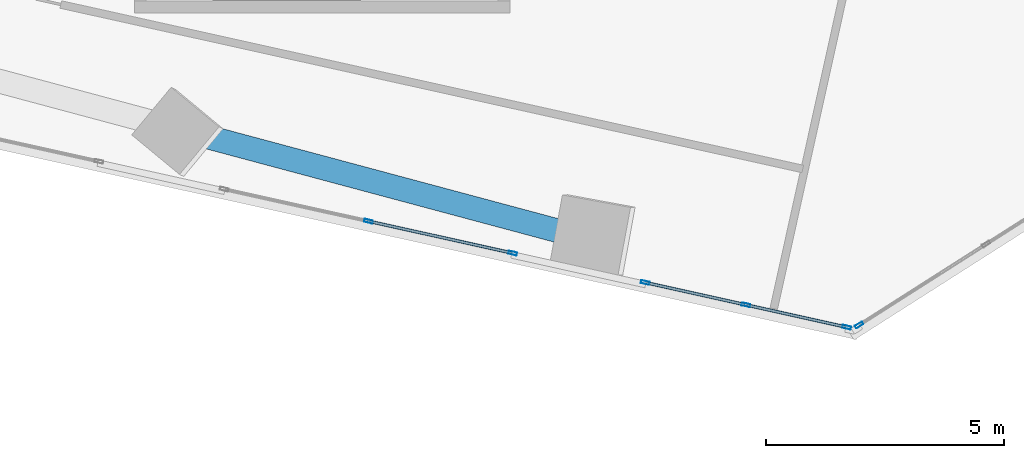
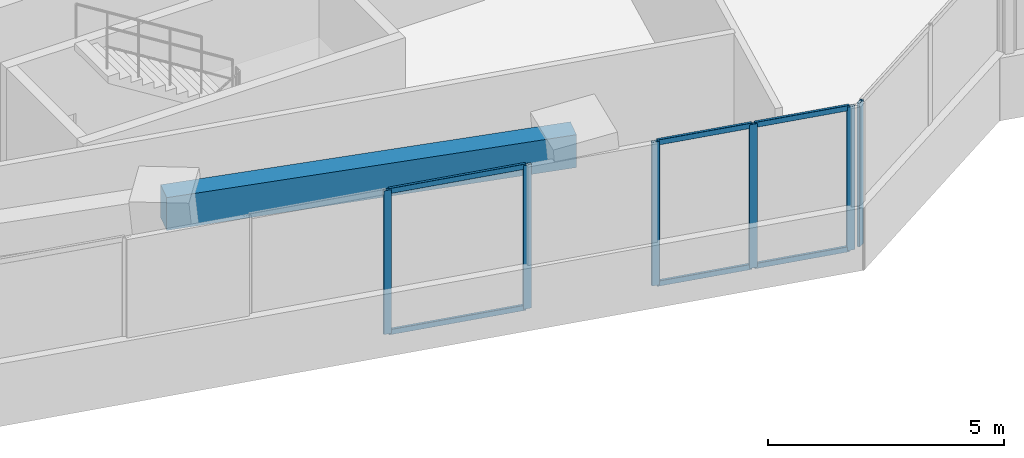
# One storey, part 4 of 26: 12 members, 1 beam, 3 elements without a shape of their own.
"""IFC4 building model written with IfcOpenShell, lengths in metres."""

from ifc_helpers import new_model, si_unit, direction, frame, origin, origin_2d, place, context, subcontext, project, spatial, rectangle, hollow_rectangle, extrude, source, transform, mapped, material, material_profile, profile_set, type_object, element, aggregate, save


model = new_model("IFC4")

# Units and contexts
model_context = context("Model", 3, precision=1e-05, world=origin(), true_north=direction((0.0, 1.0)))
body_context = subcontext(model_context, "Body", "Model", "MODEL_VIEW")
ifc_project = project(units=[si_unit("LENGTHUNIT", "METRE"), si_unit("AREAUNIT", "SQUARE_METRE"), si_unit("VOLUMEUNIT", "CUBIC_METRE"), si_unit("PLANEANGLEUNIT", "RADIAN"), si_unit("MASSUNIT", "GRAM", prefix="KILO")], contexts=[model_context])

# Site, building, storey
site_placement = place(None, origin())
site = spatial("IfcSite", under=ifc_project, at=site_placement, CompositionType="ELEMENT")
building_placement = place(site_placement, origin())
building = spatial("IfcBuilding", under=site, at=building_placement, Name="Torre Montelarca", CompositionType="ELEMENT")
storey_placement = place(building_placement, frame((0.0, 0.0, 95.800048828125)))
storey = spatial("IfcBuildingStorey", under=building, at=storey_placement, Name="L21", CompositionType="ELEMENT", Elevation=95.800048828125)

# Beam
ifc_material_1 = material(Name="Concrete C55/67", Category="concrete")
ifc_material_profile_1 = material_profile(ifc_material_1, rectangle(XDim=0.5, YDim=0.85009765625, at=origin_2d()), Name="RCB500X850", Category="concrete")
ifc_profile_set_1 = profile_set([ifc_material_profile_1], Name="Concrete C55/67")
beam_type = type_object("IfcBeamType", Name="BM-SP-RC850-EXT", PredefinedType="SPANDREL", material=ifc_profile_set_1)
shared_shape_1 = source(origin(), body_context, "Body", "SweptSolid", [
    extrude(rectangle(XDim=0.5, YDim=0.85009765625, at=origin_2d()), origin(), (0.0, 0.0, 1.0), 9.0),
])
beam_placement = place(storey_placement, frame((13.66748046875, 16.2919921875, 3.534912109375), z_axis=(0.965926740751, -0.25881563226, 0.0), x_axis=(0.25881563226, 0.965926740751, 0.0)))
element("IfcBeam", 1, at=beam_placement, inside=storey, type_object=beam_type, Name="L21 Grid Girder X 18.0-27.0 at Y=14.8", PredefinedType="SPANDREL", context=body_context, shape_type="MappedRepresentation", body=[
    mapped(shared_shape_1, transform((0.0, 0.0, 0.0), scale=1.0)),
])

# Curtain wall, members
ifc_material_2 = material(Name="Insulated low-E laminated glass", Category="glass")
curtain_wall_type = type_object("IfcCurtainWallType", Name="CW-SYS-Z1", PredefinedType="USERDEFINED", material=ifc_material_2)
curtain_wall_1_placement = place(storey_placement, origin())
curtain_wall_1 = element("IfcCurtainWall", 2, at=curtain_wall_1_placement, inside=storey, type_object=curtain_wall_type, Name="L21 Curtain Wall Run CW-T3-L21-E01-B2", ObjectType="UNITISED GLAZING", PredefinedType="USERDEFINED")
ifc_material_3 = material(Name="Anodised aluminium AA 6063-T6", Category="aluminium")
ifc_material_profile_2 = material_profile(ifc_material_3, hollow_rectangle(XDim=0.06494140625, YDim=0.139892578125, WallThickness=0.00390625, InnerFilletRadius=0.00390625, OuterFilletRadius=0.008056640625, at=origin_2d()), Name="ALU65X140X4", Category="aluminium")
ifc_profile_set_2 = profile_set([ifc_material_profile_2], Name="Anodised aluminium AA 6063-T6")
member_type_1 = type_object("IfcMemberType", Name="CWT-ALU140", PredefinedType="USERDEFINED", material=ifc_profile_set_2)
shared_shape_2 = source(origin(), body_context, "Body", "SweptSolid", [
    extrude(hollow_rectangle(XDim=0.06494140625, YDim=0.139892578125, WallThickness=0.00390625, InnerFilletRadius=0.00390625, OuterFilletRadius=0.008056640625, at=origin_2d()), origin(), (0.0, 0.0, 1.0), 3.04443359375),
])
member_1_placement = place(storey_placement, frame((18.0087890625, 14.265380859375, 0.032470703125), z_axis=(0.976294495908, -0.216446430463, 0.0), x_axis=(0.216446430463, 0.976294495908, 0.0)))
member_1 = element("IfcMember", 3, at=member_1_placement, type_object=member_type_1, Name="CW transom 2.1", ObjectType="TRANSOM", PredefinedType="USERDEFINED", context=body_context, shape_type="MappedRepresentation", body=[
    mapped(shared_shape_2, transform((0.0, 0.0, 0.0), scale=1.0)),
])
member_2_placement = place(storey_placement, frame((18.0087890625, 14.265380859375, 3.6875), z_axis=(0.976294495908, -0.216446430463, 0.0), x_axis=(0.216446430463, 0.976294495908, 0.0)))
member_2 = element("IfcMember", 4, at=member_2_placement, type_object=member_type_1, Name="CW transom 2.2", ObjectType="TRANSOM", PredefinedType="USERDEFINED", context=body_context, shape_type="MappedRepresentation", body=[
    mapped(shared_shape_2, transform((0.0, 0.0, 0.0), scale=1.0)),
])

curtain_wall_2_placement = place(storey_placement, origin())
curtain_wall_2 = element("IfcCurtainWall", 5, at=curtain_wall_2_placement, inside=storey, type_object=curtain_wall_type, Name="L21 Curtain Wall Run CW-T3-L21-E01-B3", ObjectType="UNITISED GLAZING", PredefinedType="USERDEFINED")
shared_shape_3 = source(origin(), body_context, "Body", "SweptSolid", [
    extrude(hollow_rectangle(XDim=0.06494140625, YDim=0.139892578125, WallThickness=0.00390625, InnerFilletRadius=0.00390625, OuterFilletRadius=0.008056640625, at=origin_2d()), origin(), (0.0, 0.0, 1.0), 2.10546875),
])
member_3_placement = place(storey_placement, frame((23.830810546875, 12.974609375, 0.032470703125), z_axis=(0.976282463553, -0.21650069598, 0.0), x_axis=(0.21650069598, 0.976282463553, 0.0)))
member_3 = element("IfcMember", 6, at=member_3_placement, type_object=member_type_1, Name="CW transom 1.1", ObjectType="TRANSOM", PredefinedType="USERDEFINED", context=body_context, shape_type="MappedRepresentation", body=[
    mapped(shared_shape_3, transform((0.0, 0.0, 0.0), scale=1.0)),
])
member_4_placement = place(storey_placement, frame((23.830810546875, 12.974609375, 3.6875), z_axis=(0.976282463553, -0.21650069598, 0.0), x_axis=(0.21650069598, 0.976282463553, 0.0)))
member_4 = element("IfcMember", 7, at=member_4_placement, type_object=member_type_1, Name="CW transom 1.2", ObjectType="TRANSOM", PredefinedType="USERDEFINED", context=body_context, shape_type="MappedRepresentation", body=[
    mapped(shared_shape_3, transform((0.0, 0.0, 0.0), scale=1.0)),
])
member_5_placement = place(storey_placement, frame((25.94970703125, 12.5048828125, 0.032470703125), z_axis=(0.976282463553, -0.21650069598, 0.0), x_axis=(0.21650069598, 0.976282463553, 0.0)))
member_5 = element("IfcMember", 8, at=member_5_placement, type_object=member_type_1, Name="CW transom 2.1", ObjectType="TRANSOM", PredefinedType="USERDEFINED", context=body_context, shape_type="MappedRepresentation", body=[
    mapped(shared_shape_3, transform((0.0, 0.0, 0.0), scale=1.0)),
])
member_6_placement = place(storey_placement, frame((25.94970703125, 12.5048828125, 3.6875), z_axis=(0.976282463553, -0.21650069598, 0.0), x_axis=(0.21650069598, 0.976282463553, 0.0)))
member_6 = element("IfcMember", 9, at=member_6_placement, type_object=member_type_1, Name="CW transom 2.2", ObjectType="TRANSOM", PredefinedType="USERDEFINED", context=body_context, shape_type="MappedRepresentation", body=[
    mapped(shared_shape_3, transform((0.0, 0.0, 0.0), scale=1.0)),
])

# Member
ifc_material_profile_3 = material_profile(ifc_material_3, hollow_rectangle(XDim=0.06494140625, YDim=0.179931640625, WallThickness=0.00390625, InnerFilletRadius=0.00390625, OuterFilletRadius=0.008056640625, at=origin_2d()), Name="ALU65X180X4", Category="aluminium")
ifc_profile_set_3 = profile_set([ifc_material_profile_3], Name="Anodised aluminium AA 6063-T6")
member_type_2 = type_object("IfcMemberType", Name="CWM-ALU180", PredefinedType="MULLION", material=ifc_profile_set_3)
shared_shape_4 = source(origin(), body_context, "Body", "SweptSolid", [
    extrude(hollow_rectangle(XDim=0.06494140625, YDim=0.179931640625, WallThickness=0.00390625, InnerFilletRadius=0.00390625, OuterFilletRadius=0.008056640625, at=origin_2d()), origin(), (0.0, 0.0, 1.0), 3.719970703125),
])
member_7_placement = place(storey_placement, frame((17.97705078125, 14.272216796875, 0.0), z_axis=(0.0, 0.0, 1.0), x_axis=(0.216428300478, 0.976298515185, 0.0)))
member_7 = element("IfcMember", 10, at=member_7_placement, type_object=member_type_2, Name="CW mullion 2", PredefinedType="MULLION", context=body_context, shape_type="MappedRepresentation", body=[
    mapped(shared_shape_4, transform((0.0, 0.0, 0.0), scale=1.0)),
])

member_8_placement = place(storey_placement, frame((21.0126953125, 13.599365234375, 0.0), z_axis=(0.0, 0.0, 1.0), x_axis=(0.216428300478, 0.976298515185, 0.0)))
member_8 = element("IfcMember", 11, at=member_8_placement, type_object=member_type_2, Name="CW mullion 3", PredefinedType="MULLION", context=body_context, shape_type="MappedRepresentation", body=[
    mapped(shared_shape_4, transform((0.0, 0.0, 0.0), scale=1.0)),
])

aggregate(curtain_wall_1, [member_7, member_8, member_1, member_2])

member_9_placement = place(storey_placement, frame((23.799072265625, 12.9814453125, 0.0), z_axis=(0.0, 0.0, 1.0), x_axis=(0.216444967924, 0.976294820154, 0.0)))
member_9 = element("IfcMember", 12, at=member_9_placement, type_object=member_type_2, Name="CW mullion 1", PredefinedType="MULLION", context=body_context, shape_type="MappedRepresentation", body=[
    mapped(shared_shape_4, transform((0.0, 0.0, 0.0), scale=1.0)),
])

member_10_placement = place(storey_placement, frame((25.91796875, 12.51171875, 0.0), z_axis=(0.0, 0.0, 1.0), x_axis=(0.216444967924, 0.976294820154, 0.0)))
member_10 = element("IfcMember", 13, at=member_10_placement, type_object=member_type_2, Name="CW mullion 2", PredefinedType="MULLION", context=body_context, shape_type="MappedRepresentation", body=[
    mapped(shared_shape_4, transform((0.0, 0.0, 0.0), scale=1.0)),
])

member_11_placement = place(storey_placement, frame((28.036865234375, 12.0419921875, 0.0), z_axis=(0.0, 0.0, 1.0), x_axis=(0.216444967924, 0.976294820154, 0.0)))
member_11 = element("IfcMember", 14, at=member_11_placement, type_object=member_type_2, Name="CW mullion 3", PredefinedType="MULLION", context=body_context, shape_type="MappedRepresentation", body=[
    mapped(shared_shape_4, transform((0.0, 0.0, 0.0), scale=1.0)),
])

aggregate(curtain_wall_2, [member_9, member_10, member_11, member_3, member_4, member_5, member_6])

# Curtain wall, member
curtain_wall_3_placement = place(storey_placement, origin())
curtain_wall_3 = element("IfcCurtainWall", 15, at=curtain_wall_3_placement, inside=storey, type_object=curtain_wall_type, Name="L21 Curtain Wall Run CW-T3-L21-E02-B1", ObjectType="UNITISED GLAZING", PredefinedType="USERDEFINED")
member_12_placement = place(storey_placement, frame((28.2998046875, 12.08837890625, 0.0), z_axis=(0.0, 0.0, 1.0), x_axis=(-0.537312197398, 0.843383425571, 0.0)))
member_12 = element("IfcMember", 16, at=member_12_placement, type_object=member_type_2, Name="CW mullion 1", PredefinedType="MULLION", context=body_context, shape_type="MappedRepresentation", body=[
    mapped(shared_shape_4, transform((0.0, 0.0, 0.0), scale=1.0)),
])
aggregate(curtain_wall_3, [member_12])

save(model, "model.ifc")
